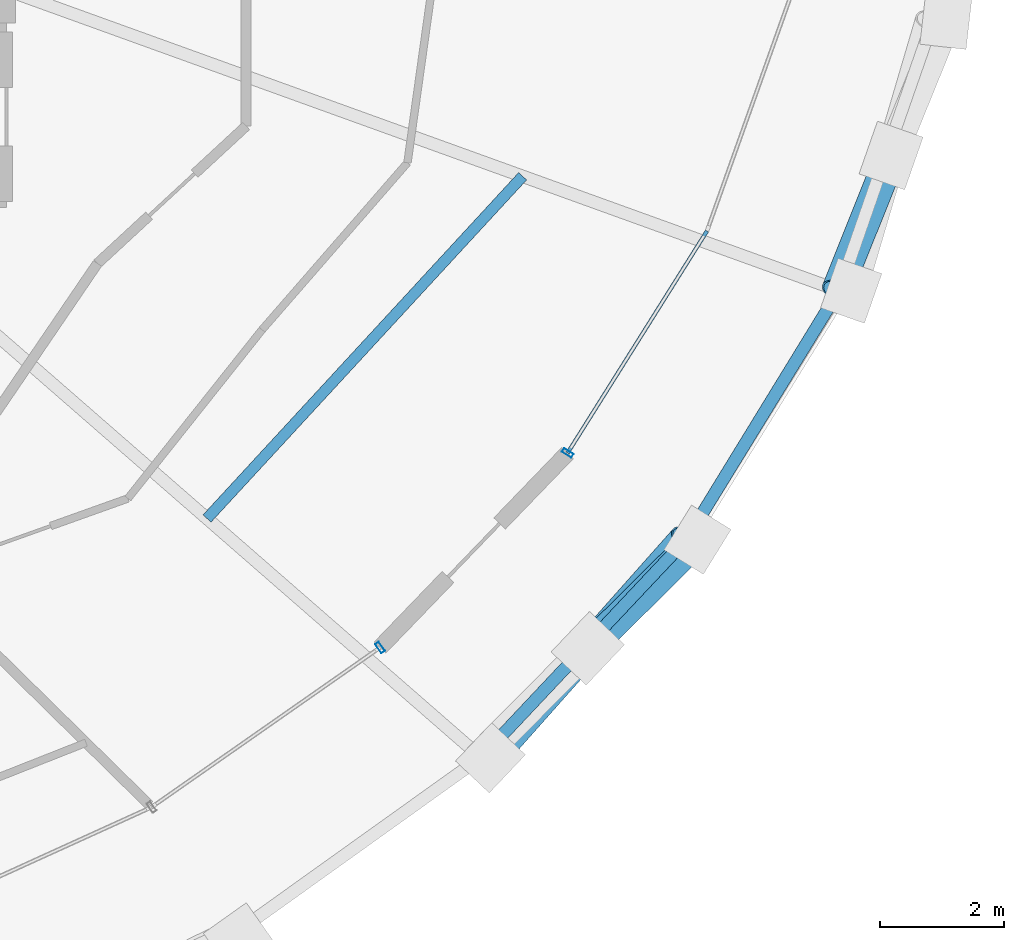
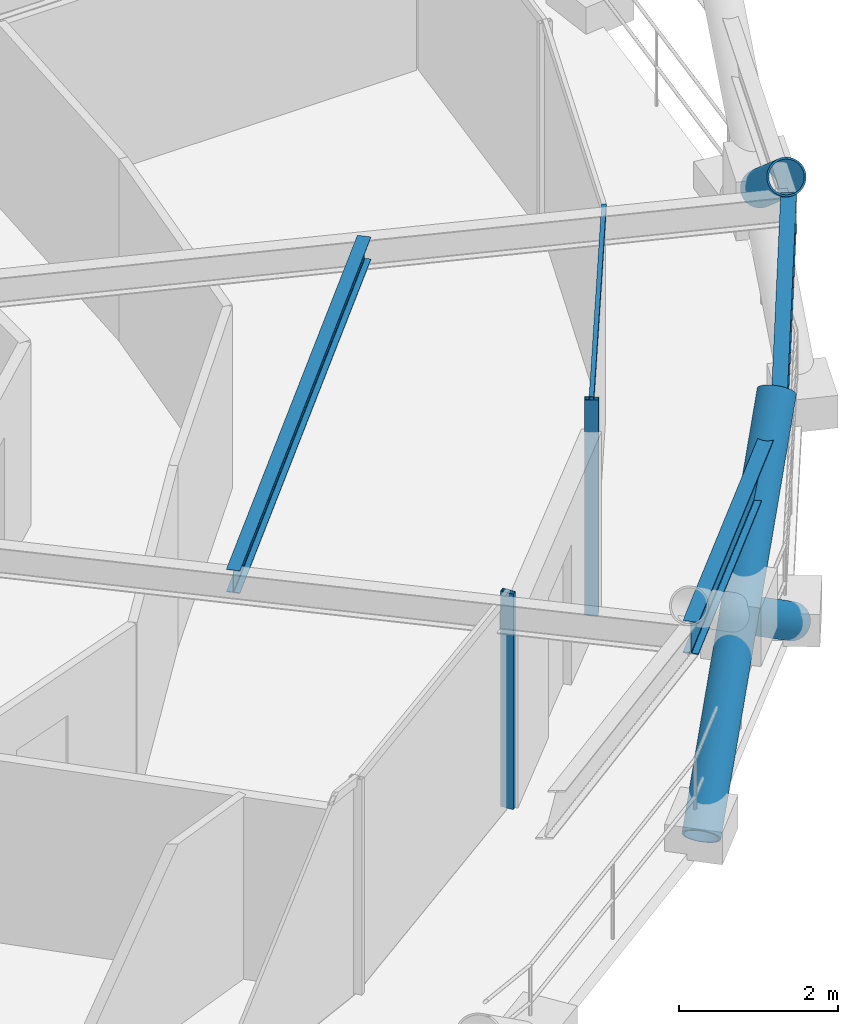
# One storey, part 6 of 16: 6 members, 3 beams, 2 elements without a shape of their own.
"""IFC4 building model written with IfcOpenShell, lengths in metres."""

import ifcopenshell
import ifcopenshell.guid

model = None  # the IFC model being written
_history = None  # IfcOwnerHistory: only IFC2X3 demands one
_inside = {}  # id of a spatial element -> (the spatial element, [elements in it])
_under = {}  # id of a project, library or spatial element -> (it, [spatial elements below it])
_declared = {}  # id of a project -> (the project, [libraries it declares])
_typed = {}  # id of a type object -> (the type object, [elements of that type])
_made_of = {}  # id of a material, layer set ... -> (it, [elements and type objects made of it])


def new_model(schema):
    """Start an empty IFC model of exactly this schema.

    Asked for "IFC4X3", IfcOpenShell would pick the latest addendum, in which some entities
    have other attributes; the version numbers below select the first issue.
    IFC2X3 requires an IfcOwnerHistory on every rooted entity: one is made here for all.
    """
    global model, _history
    if schema == "IFC4X3":
        model = ifcopenshell.file(schema_version=(4, 3, 0, 0))
    else:
        model = ifcopenshell.file(schema=schema)
    _inside.clear()
    _under.clear()
    _declared.clear()
    _typed.clear()
    _made_of.clear()
    _history = None
    if model.schema == "IFC2X3":
        org = make("IfcOrganization", Name="unknown")
        user = make(
            "IfcPersonAndOrganization",
            ThePerson=make("IfcPerson", FamilyName="unknown"),
            TheOrganization=org,
        )
        app = make(
            "IfcApplication",
            ApplicationDeveloper=org,
            Version="unknown",
            ApplicationFullName="unknown",
            ApplicationIdentifier="unknown",
        )
        _history = make(
            "IfcOwnerHistory",
            OwningUser=user,
            OwningApplication=app,
            ChangeAction="ADDED",
            CreationDate=0,
        )
    return model


def make(cls, **values):
    """One entity of the class cls with the attributes given. An attribute that is None is left unset."""
    return model.create_entity(
        cls, **{name: value for name, value in values.items() if value is not None}
    )


def rooted(cls, **values):
    """An entity with a GlobalId (a new one), such as an element, a storey or a relation."""
    return make(cls, GlobalId=ifcopenshell.guid.new(), OwnerHistory=_history, **values)


def si_unit(unit_type, name, prefix=None):
    """IfcSIUnit, for example si_unit("LENGTHUNIT", "METRE", prefix="MILLI")."""
    return make("IfcSIUnit", UnitType=unit_type, Prefix=prefix, Name=name)


def assignment(units):
    """IfcUnitAssignment: the units of a project."""
    return None if units is None else make("IfcUnitAssignment", Units=units)


def point(xyz):
    """IfcCartesianPoint."""
    return None if xyz is None else make("IfcCartesianPoint", Coordinates=xyz)


def direction(xyz):
    """IfcDirection."""
    return None if xyz is None else make("IfcDirection", DirectionRatios=xyz)


def frame(location, z_axis=None, x_axis=None):
    """IfcAxis2Placement3D, a coordinate frame: its origin and axes. An axis left out is left unset."""
    return make(
        "IfcAxis2Placement3D",
        Location=point(location),
        Axis=direction(z_axis),
        RefDirection=direction(x_axis),
    )


def frame_2d(location, x_axis=None):
    """IfcAxis2Placement2D, a coordinate frame in the plane: its origin and x axis."""
    return make(
        "IfcAxis2Placement2D", Location=point(location), RefDirection=direction(x_axis)
    )


def origin():
    """The frame at (0, 0, 0) with its axes left unset."""
    return frame((0.0, 0.0, 0.0))


def origin_2d():
    """The frame at (0, 0) in the plane with its x axis left unset."""
    return frame_2d((0.0, 0.0))


def place(relative_to, where):
    """IfcLocalPlacement: puts the frame where relative to a parent placement (None: the world)."""
    return make(
        "IfcLocalPlacement", PlacementRelTo=relative_to, RelativePlacement=where
    )


def context(
    kind, dimensions, precision=None, world=None, true_north=None, identifier=None
):
    """IfcGeometricRepresentationContext, for example the 3D "Model" context."""
    return make(
        "IfcGeometricRepresentationContext",
        ContextIdentifier=identifier,
        ContextType=kind,
        CoordinateSpaceDimension=dimensions,
        Precision=precision,
        WorldCoordinateSystem=world,
        TrueNorth=true_north,
    )


def subcontext(parent, identifier, kind, view, scale=None):
    """IfcGeometricRepresentationSubContext, for example "Body" below "Model"."""
    return make(
        "IfcGeometricRepresentationSubContext",
        ContextIdentifier=identifier,
        ContextType=kind,
        ParentContext=parent,
        TargetScale=scale,
        TargetView=view,
    )


def project(units=None, contexts=None):
    """IfcProject with its units and contexts."""
    return rooted(
        "IfcProject",
        Name="project",
        RepresentationContexts=contexts,
        UnitsInContext=assignment(units),
    )


def spatial(cls, under=None, at=None, **own):
    """A site, building, storey or space (cls), placed at a placement, below another one or the project."""
    s = rooted(cls, ObjectPlacement=at, **own)
    if under is not None:
        _under.setdefault(under.id(), (under, []))[1].append(s)
    return s


def profile(cls, at=None, kind="AREA", **sizes):
    """A parametric profile (cls). Its sizes go by their IFC names, for example OverallWidth=200.0."""
    return make(cls, ProfileType=kind, Position=at, **sizes)


def hollow_rectangle(**sizes):
    """IfcRectangleHollowProfileDef."""
    return profile("IfcRectangleHollowProfileDef", **sizes)


def hollow_circle(**sizes):
    """IfcCircleHollowProfileDef."""
    return profile("IfcCircleHollowProfileDef", **sizes)


def i_section(**sizes):
    """IfcIShapeProfileDef."""
    return profile("IfcIShapeProfileDef", **sizes)


def extrude(swept, where, along, depth):
    """IfcExtrudedAreaSolid: the profile swept, set in the frame where, extruded along a direction by depth."""
    return make(
        "IfcExtrudedAreaSolid",
        SweptArea=swept,
        Position=where,
        ExtrudedDirection=direction(along),
        Depth=depth,
    )


def shape(context_of_items, identifier, shape_type, items):
    """IfcShapeRepresentation: the items that make up one representation, for example the "Body"."""
    return make(
        "IfcShapeRepresentation",
        ContextOfItems=context_of_items,
        RepresentationIdentifier=identifier,
        RepresentationType=shape_type,
        Items=items,
    )


def material(Name=None, Category=None):
    """IfcMaterial."""
    return make("IfcMaterial", Name=Name, Category=Category)


def layer(
    of_material, thickness, ventilated=None, Name=None, Category=None, Priority=None
):
    """IfcMaterialLayer: one layer of a wall or slab, of a material (None: an air gap)."""
    return make(
        "IfcMaterialLayer",
        Material=of_material,
        LayerThickness=thickness,
        IsVentilated=ventilated,
        Name=Name,
        Category=Category,
        Priority=Priority,
    )


def layer_set(layers, Name=None):
    """IfcMaterialLayerSet."""
    return make("IfcMaterialLayerSet", MaterialLayers=layers, LayerSetName=Name)


def material_profile(
    of_material, cross_section, Name=None, Category=None, Priority=None
):
    """IfcMaterialProfile: a cross section and its material."""
    return make(
        "IfcMaterialProfile",
        Name=Name,
        Material=of_material,
        Profile=cross_section,
        Priority=Priority,
        Category=Category,
    )


def profile_set(profiles, Name=None, composite=None):
    """IfcMaterialProfileSet."""
    return make(
        "IfcMaterialProfileSet",
        Name=Name,
        MaterialProfiles=profiles,
        CompositeProfile=composite,
    )


def made_of(thing, what):
    """Note that an element or type object is made of a material, layer set ...; save() writes the relation."""
    if what is not None:
        _made_of.setdefault(what.id(), (what, []))[1].append(thing)
    return thing


def type_object(cls, material=None, **own):
    """A type object (cls), such as IfcWallType, which elements share."""
    return made_of(rooted(cls, **own), material)


def element(
    cls,
    number,
    at=None,
    inside=None,
    cuts=None,
    type_object=None,
    material=None,
    context=None,
    identifier="Body",
    shape_type=None,
    held_by="IfcProductDefinitionShape",
    body=None,
    shapes=None,
    **own,
):
    """One element of the class cls, such as IfcWall. Its Tag is "e" and its number.

    at: its placement. inside: the storey or other place that contains it. cuts: it is an
    opening in that element (IfcRelVoidsElement). A single representation is given by context,
    identifier, shape_type and body (its items); several are given by shapes. held_by: the class
    of the entity that holds the representations. save() writes the other relations.
    """
    e = rooted(cls, Tag="e%d" % number, ObjectPlacement=at, **own)
    if body is not None:
        shapes = [shape(context, identifier, shape_type, body)]
    if shapes is not None:
        e.Representation = make(held_by, Representations=shapes)
    if inside is not None:
        _inside.setdefault(inside.id(), (inside, []))[1].append(e)
    if cuts is not None:
        rooted(
            "IfcRelVoidsElement", RelatingBuildingElement=cuts, RelatedOpeningElement=e
        )
    if type_object is not None:
        _typed.setdefault(type_object.id(), (type_object, []))[1].append(e)
    return made_of(e, material)


def aggregate(whole, parts):
    """IfcRelAggregates: a whole, such as a stair, and the parts it consists of."""
    return rooted("IfcRelAggregates", RelatingObject=whole, RelatedObjects=parts)


def save(model, path):
    """Write the relations noted so far, then the file.

    IfcRelAggregates (storeys below a building ...), IfcRelContainedInSpatialStructure (elements
    in a storey), IfcRelDefinesByType, IfcRelAssociatesMaterial and IfcRelDeclares: one each for
    every whole, place, type object, material and project.
    """
    for whole, parts in _under.values():
        aggregate(whole, parts)
    for where, things in _inside.values():
        rooted(
            "IfcRelContainedInSpatialStructure",
            RelatedElements=things,
            RelatingStructure=where,
        )
    for kind, things in _typed.values():
        rooted("IfcRelDefinesByType", RelatedObjects=things, RelatingType=kind)
    for what, things in _made_of.values():
        rooted("IfcRelAssociatesMaterial", RelatedObjects=things, RelatingMaterial=what)
    for by, libraries in _declared.values():
        rooted("IfcRelDeclares", RelatingContext=by, RelatedDefinitions=libraries)
    model.write(path)


model = new_model("IFC4")

# Units and contexts
model_context = context("Model", 3, precision=1e-05, world=origin(), true_north=direction((0.0, 1.0)))
body_context = subcontext(model_context, "Body", "Model", "MODEL_VIEW")
ifc_project = project(units=[si_unit("LENGTHUNIT", "METRE"), si_unit("AREAUNIT", "SQUARE_METRE"), si_unit("VOLUMEUNIT", "CUBIC_METRE"), si_unit("PLANEANGLEUNIT", "RADIAN"), si_unit("MASSUNIT", "GRAM", prefix="KILO")], contexts=[model_context])

# Site, building, storey
site_placement = place(None, origin())
site = spatial("IfcSite", under=ifc_project, at=site_placement, CompositionType="ELEMENT")
building_placement = place(site_placement, origin())
building = spatial("IfcBuilding", under=site, at=building_placement, Name="Veldorina Hangang Commons", CompositionType="ELEMENT")
storey_placement = place(building_placement, frame((0.0, 0.0, 192.800048828125)))
storey = spatial("IfcBuildingStorey", under=building, at=storey_placement, Name="L50", CompositionType="ELEMENT", Elevation=192.800048828125)

# Beams
ifc_material_1 = material(Name="Steel SM355-TMC", Category="steel")
ifc_material_profile_1 = material_profile(ifc_material_1, i_section(OverallWidth=0.175048828125, OverallDepth=0.35009765625, WebThickness=0.007080078125, FlangeThickness=0.010986328125, FilletRadius=0.012939453125, at=origin_2d()), Name="H-350x175x7x11")
ifc_profile_set_1 = profile_set([ifc_material_profile_1], Name="Steel SM355-TMC")
beam_type_1 = type_object("IfcBeamType", Name="BM-JST350", PredefinedType="JOIST", material=ifc_profile_set_1)
beam_1_placement = place(storey_placement, frame((46.41796875, 11.43115234375, 3.175048828125), z_axis=(0.677934542783, 0.735122272619, 0.0), x_axis=(-0.735122272619, 0.677934542783, 0.0)))
element("IfcBeam", 1, at=beam_1_placement, inside=storey, type_object=beam_type_1, Name="L50 secondary floor joist 15", PredefinedType="JOIST", context=body_context, shape_type="SweptSolid", body=[
    extrude(i_section(OverallWidth=0.175048828125, OverallDepth=0.35009765625, WebThickness=0.007080078125, FlangeThickness=0.010986328125, FilletRadius=0.012939453125, at=origin_2d()), origin(), (0.0, 0.0, 1.0), 7.513671875),
])
ifc_material_2 = material(Name="Steel SM420-TMC", Category="steel")
ifc_material_profile_2 = material_profile(ifc_material_2, i_section(OverallWidth=0.199951171875, OverallDepth=0.5, WebThickness=0.010009765625, FlangeThickness=0.01611328125, FilletRadius=0.01611328125, at=origin_2d()), Name="H-500x200x10x16")
ifc_profile_set_2 = profile_set([ifc_material_profile_2], Name="Steel SM420-TMC")
beam_type_2 = type_object("IfcBeamType", Name="BM-RB500", PredefinedType="BEAM", material=ifc_profile_set_2)
beam_2_placement = place(storey_placement, frame((50.841796875, 7.57470703125, 3.099853515625), z_axis=(0.685474955266, 0.728096206352, 0.0), x_axis=(-0.728096206352, 0.685474955266, 0.0)))
element("IfcBeam", 2, at=beam_2_placement, inside=storey, type_object=beam_type_2, Name="L50 perimeter hoop ring beam 28", PredefinedType="BEAM", context=body_context, shape_type="SweptSolid", body=[
    extrude(i_section(OverallWidth=0.199951171875, OverallDepth=0.5, WebThickness=0.010009765625, FlangeThickness=0.01611328125, FilletRadius=0.01611328125, at=origin_2d()), origin(), (0.0, 0.0, 1.0), 4.83447265625),
])
beam_3_placement = place(storey_placement, frame((54.15576171875, 11.0947265625, 3.099853515625), z_axis=(0.522688447386, 0.852523775017, 0.0), x_axis=(-0.852523775017, 0.522688447386, 0.0)))
element("IfcBeam", 3, at=beam_3_placement, inside=storey, type_object=beam_type_2, Name="L50 perimeter hoop ring beam 29", PredefinedType="BEAM", context=body_context, shape_type="SweptSolid", body=[
    extrude(i_section(OverallWidth=0.199951171875, OverallDepth=0.5, WebThickness=0.010009765625, FlangeThickness=0.01611328125, FilletRadius=0.01611328125, at=origin_2d()), origin(), (0.0, 0.0, 1.0), 4.71044921875),
])

# Curtain wall, member
ifc_material_3 = material(Name="Glass Low-E Triple IGU", Category="glass")
ifc_layer = layer(ifc_material_3, 0.179931640625)
ifc_layer_set = layer_set([ifc_layer], Name="Glass Low-E Triple IGU")
curtain_wall_type = type_object("IfcCurtainWallType", Name="CW-SYS-Z2", PredefinedType="NOTDEFINED", material=ifc_layer_set)
curtain_wall_1_placement = place(storey_placement, origin())
curtain_wall_1 = element("IfcCurtainWall", 4, at=curtain_wall_1_placement, inside=storey, type_object=curtain_wall_type, Name="L50 unitised curtain wall CW-L50-R1", PredefinedType="NOTDEFINED")
ifc_material_4 = material(Name="Aluminium Anodized AA6063-T6", Category="aluminium")
ifc_material_profile_3 = material_profile(ifc_material_4, hollow_rectangle(XDim=0.070068359375, YDim=0.179931640625, WallThickness=0.00390625, at=origin_2d()), Name="ALU-RHS-180x70x4")
ifc_profile_set_3 = profile_set([ifc_material_profile_3], Name="Aluminium Anodized AA6063-T6")
member_type_1 = type_object("IfcMemberType", Name="CW-MUL-180", PredefinedType="MULLION", material=ifc_profile_set_3)
member_1_placement = place(storey_placement, frame((49.2109375, 9.34912109375, 0.0), z_axis=(0.0, 0.0, 1.0), x_axis=(-0.819762238564, -0.572704000532, 0.0)))
member_1 = element("IfcMember", 5, at=member_1_placement, type_object=member_type_1, Name="CW-L50-R1 vertical mullion 4", PredefinedType="MULLION", context=body_context, shape_type="SweptSolid", body=[
    extrude(hollow_rectangle(XDim=0.070068359375, YDim=0.179931640625, WallThickness=0.00390625, at=origin_2d()), origin(), (0.0, 0.0, 1.0), 3.31005859375),
])
aggregate(curtain_wall_1, [member_1])

# Curtain wall, members
curtain_wall_2_placement = place(storey_placement, origin())
curtain_wall_2 = element("IfcCurtainWall", 6, at=curtain_wall_2_placement, inside=storey, type_object=curtain_wall_type, Name="L50 unitised curtain wall CW-L50-R2", PredefinedType="NOTDEFINED")
member_2_placement = place(storey_placement, frame((52.238037109375, 12.489013671875, 0.0), z_axis=(0.0, 0.0, 1.0), x_axis=(0.531768155588, 0.846889974378, 0.0)))
member_2 = element("IfcMember", 7, at=member_2_placement, type_object=member_type_1, Name="CW-L50-R2 vertical mullion 1", PredefinedType="MULLION", context=body_context, shape_type="SweptSolid", body=[
    extrude(hollow_rectangle(XDim=0.070068359375, YDim=0.179931640625, WallThickness=0.00390625, at=origin_2d()), origin(), (0.0, 0.0, 1.0), 3.31005859375),
])
ifc_material_profile_4 = material_profile(ifc_material_4, hollow_rectangle(XDim=0.06005859375, YDim=0.139892578125, WallThickness=0.00341796875, at=origin_2d()), Name="ALU-RHS-140x60x3.5")
ifc_profile_set_4 = profile_set([ifc_material_profile_4], Name="Aluminium Anodized AA6063-T6")
member_type_2 = type_object("IfcMemberType", Name="CW-TRN-140", PredefinedType="USERDEFINED", material=ifc_profile_set_4)
member_3_placement = place(storey_placement, frame((52.238037109375, 12.489013671875, 3.27001953125), z_axis=(0.531782573876, 0.846880920863, 0.0), x_axis=(-0.846880920863, 0.531782573876, 0.0)))
member_3 = element("IfcMember", 8, at=member_3_placement, type_object=member_type_2, Name="CW-L50-R2 facet 1 transom 1", ObjectType="TRANSOM", PredefinedType="USERDEFINED", context=body_context, shape_type="SweptSolid", body=[
    extrude(hollow_rectangle(XDim=0.06005859375, YDim=0.139892578125, WallThickness=0.00341796875, at=origin_2d()), origin(), (0.0, 0.0, 1.0), 4.229736328125),
])
aggregate(curtain_wall_2, [member_2, member_3])

# Members
ifc_material_profile_5 = material_profile(ifc_material_2, hollow_circle(Radius=0.25, WallThickness=0.02490234375, at=origin_2d()), Name="CHS-500x25")
ifc_profile_set_5 = profile_set([ifc_material_profile_5], Name="Steel SM420-TMC")
member_type_3 = type_object("IfcMemberType", Name="DG-CHS500", PredefinedType="BRACE", material=ifc_profile_set_5)
member_4_placement = place(storey_placement, frame((50.992919921875, 7.5673828125, 0.0), z_axis=(0.528015077982, 0.594443710134, 0.606495468166), x_axis=(-0.7476461729, 0.664097282142, 0.0)))
element("IfcMember", 9, at=member_4_placement, inside=storey, type_object=member_type_3, Name="L50 continuous perimeter diagrid brace 28", PredefinedType="BRACE", context=body_context, shape_type="SweptSolid", body=[
    extrude(hollow_circle(Radius=0.25, WallThickness=0.02490234375, at=origin_2d()), origin(), (0.0, 0.0, 1.0), 5.935546875),
])
member_5_placement = place(storey_placement, frame((54.333251953125, 11.0888671875, 0.0), z_axis=(-0.575324413059, -0.570006154826, 0.586595945434), x_axis=(0.703815795279, -0.710382521122, 0.0)))
element("IfcMember", 10, at=member_5_placement, inside=storey, type_object=member_type_3, Name="L50 split perimeter diagrid lower brace 29", PredefinedType="BRACE", context=body_context, shape_type="SweptSolid", body=[
    extrude(hollow_circle(Radius=0.25, WallThickness=0.02490234375, at=origin_2d()), origin(), (0.0, 0.0, 1.0), 3.07568359375),
])
member_6_placement = place(storey_placement, frame((57.45849609375, 17.289306640625, 1.80126953125), z_axis=(-0.295074433507, -0.736736361969, 0.608400042442), x_axis=(0.92831153987, -0.371803287967, 0.0)))
element("IfcMember", 11, at=member_6_placement, inside=storey, type_object=member_type_3, Name="L50 split perimeter diagrid upper brace 31", PredefinedType="BRACE", context=body_context, shape_type="SweptSolid", body=[
    extrude(hollow_circle(Radius=0.25, WallThickness=0.02490234375, at=origin_2d()), origin(), (0.0, 0.0, 1.0), 2.956298828125),
])

save(model, "model.ifc")
